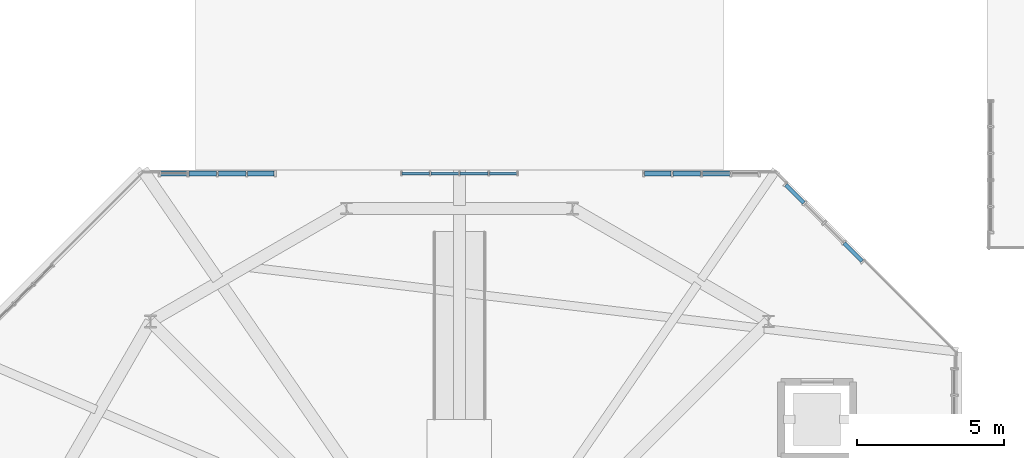
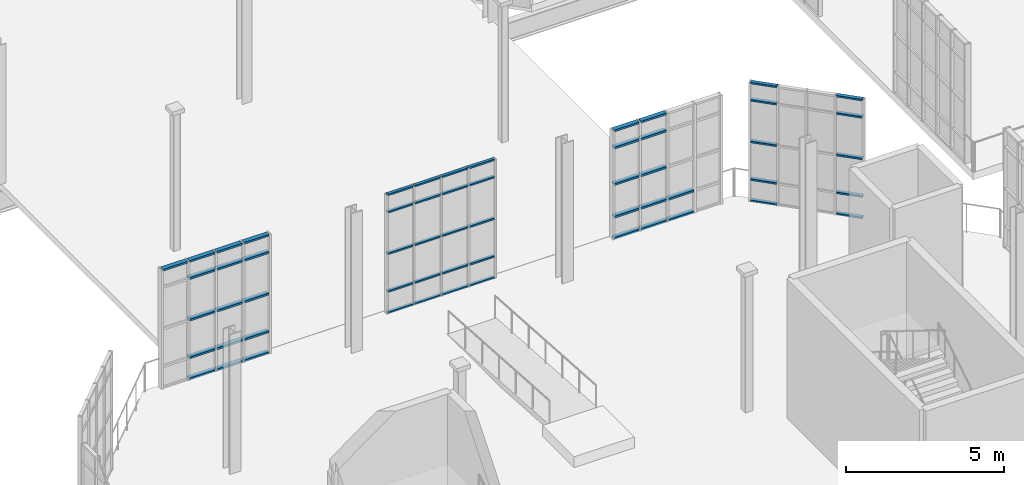
# One storey, part 125 of 189: 58 members, 4 elements without a shape of their own.
"""IFC4 building model written with IfcOpenShell, lengths in metres."""

from ifc_helpers import new_model, si_unit, direction, frame, origin, origin_2d, place, context, subcontext, project, spatial, hollow_rectangle, extrude, material, layer, layer_set, material_profile, profile_set, type_object, element, aggregate, save


model = new_model("IFC4")

# Units and contexts
model_context = context("Model", 3, precision=1e-05, world=origin(), true_north=direction((0.0, 1.0)))
body_context = subcontext(model_context, "Body", "Model", "MODEL_VIEW")
ifc_project = project(units=[si_unit("LENGTHUNIT", "METRE"), si_unit("AREAUNIT", "SQUARE_METRE"), si_unit("VOLUMEUNIT", "CUBIC_METRE"), si_unit("PLANEANGLEUNIT", "RADIAN"), si_unit("MASSUNIT", "GRAM", prefix="KILO"), si_unit("THERMODYNAMICTEMPERATUREUNIT", "KELVIN"), si_unit("POWERUNIT", "WATT")], contexts=[model_context])

# Site, building, storey
site_placement = place(None, origin())
site = spatial("IfcSite", under=ifc_project, at=site_placement, CompositionType="ELEMENT")
building_placement = place(site_placement, origin())
building = spatial("IfcBuilding", under=site, at=building_placement, Name="Zelmaris Science Centre", CompositionType="ELEMENT")
storey_placement = place(building_placement, origin())
storey = spatial("IfcBuildingStorey", under=building, at=storey_placement, Name="L00", CompositionType="ELEMENT", Elevation=0.0)

# Curtain wall, members
ifc_material = material(Name="Anodised architectural aluminium 6063-T6", Category="aluminium")
ifc_layer_1 = layer(ifc_material, 0.219970703125, Name="Anodised architectural aluminium 6063-T6")
ifc_layer_set_1 = layer_set([ifc_layer_1], Name="Anodised architectural aluminium 6063-T6")
curtain_wall_type_1 = type_object("IfcCurtainWallType", Name="Curtain Wall CW-04", PredefinedType="USERDEFINED", material=ifc_layer_set_1)
curtain_wall_1_placement = place(storey_placement, origin())
curtain_wall_1 = element("IfcCurtainWall", 1, at=curtain_wall_1_placement, inside=storey, type_object=curtain_wall_type_1, Name="L00 Unitised curtain wall 56", ObjectType="GLAZED CURTAIN WALL", PredefinedType="USERDEFINED")
ifc_material_profile_1 = material_profile(ifc_material, hollow_rectangle(XDim=0.06005859375, YDim=0.110107421875, WallThickness=0.0029296875, at=origin_2d()), Name="ALU-TRN-60X110")
ifc_profile_set_1 = profile_set([ifc_material_profile_1], Name="Anodised architectural aluminium 6063-T6")
member_type_1 = type_object("IfcMemberType", Name="ALU-TRN-60X110", PredefinedType="USERDEFINED", material=ifc_profile_set_1)
member_1_placement = place(storey_placement, frame((79.048828125, 51.580078125, 0.010986328125), z_axis=(1.0, 0.0, 0.0), x_axis=(0.0, 0.0, 1.0)))
member_1 = element("IfcMember", 2, at=member_1_placement, type_object=member_type_1, Name="CW-04 transom 1.1", ObjectType="TRANSOM", PredefinedType="USERDEFINED", context=body_context, shape_type="SweptSolid", body=[
    extrude(hollow_rectangle(XDim=0.06005859375, YDim=0.110107421875, WallThickness=0.0029296875, at=origin_2d()), origin(), (0.0, 0.0, 1.0), 0.924072265625),
])
member_2_placement = place(storey_placement, frame((79.048828125, 51.580078125, 0.8349609375), z_axis=(1.0, 0.0, 0.0), x_axis=(0.0, 0.0, 1.0)))
member_2 = element("IfcMember", 3, at=member_2_placement, type_object=member_type_1, Name="CW-04 transom 1.2", ObjectType="TRANSOM", PredefinedType="USERDEFINED", context=body_context, shape_type="SweptSolid", body=[
    extrude(hollow_rectangle(XDim=0.06005859375, YDim=0.110107421875, WallThickness=0.0029296875, at=origin_2d()), origin(), (0.0, 0.0, 1.0), 0.924072265625),
])
member_3_placement = place(storey_placement, frame((79.048828125, 51.580078125, 2.29248046875), z_axis=(1.0, 0.0, 0.0), x_axis=(0.0, 0.0, 1.0)))
member_3 = element("IfcMember", 4, at=member_3_placement, type_object=member_type_1, Name="CW-04 transom 1.3", ObjectType="TRANSOM", PredefinedType="USERDEFINED", context=body_context, shape_type="SweptSolid", body=[
    extrude(hollow_rectangle(XDim=0.06005859375, YDim=0.110107421875, WallThickness=0.0029296875, at=origin_2d()), origin(), (0.0, 0.0, 1.0), 0.924072265625),
])
member_4_placement = place(storey_placement, frame((79.048828125, 51.580078125, 3.89990234375), z_axis=(1.0, 0.0, 0.0), x_axis=(0.0, 0.0, 1.0)))
member_4 = element("IfcMember", 5, at=member_4_placement, type_object=member_type_1, Name="CW-04 transom 1.4", ObjectType="TRANSOM", PredefinedType="USERDEFINED", context=body_context, shape_type="SweptSolid", body=[
    extrude(hollow_rectangle(XDim=0.06005859375, YDim=0.110107421875, WallThickness=0.0029296875, at=origin_2d()), origin(), (0.0, 0.0, 1.0), 0.924072265625),
])
member_5_placement = place(storey_placement, frame((79.048828125, 51.580078125, 4.573974609375), z_axis=(1.0, 0.0, 0.0), x_axis=(0.0, 0.0, 1.0)))
member_5 = element("IfcMember", 6, at=member_5_placement, type_object=member_type_1, Name="CW-04 transom 1.5", ObjectType="TRANSOM", PredefinedType="USERDEFINED", context=body_context, shape_type="SweptSolid", body=[
    extrude(hollow_rectangle(XDim=0.06005859375, YDim=0.110107421875, WallThickness=0.0029296875, at=origin_2d()), origin(), (0.0, 0.0, 1.0), 0.924072265625),
])
member_6_placement = place(storey_placement, frame((80.02490234375, 51.580078125, 0.010986328125), z_axis=(1.0, 0.0, 0.0), x_axis=(0.0, 0.0, 1.0)))
member_6 = element("IfcMember", 7, at=member_6_placement, type_object=member_type_1, Name="CW-04 transom 2.1", ObjectType="TRANSOM", PredefinedType="USERDEFINED", context=body_context, shape_type="SweptSolid", body=[
    extrude(hollow_rectangle(XDim=0.06005859375, YDim=0.110107421875, WallThickness=0.0029296875, at=origin_2d()), origin(), (0.0, 0.0, 1.0), 0.949951171875),
])
member_7_placement = place(storey_placement, frame((80.02490234375, 51.580078125, 0.8349609375), z_axis=(1.0, 0.0, 0.0), x_axis=(0.0, 0.0, 1.0)))
member_7 = element("IfcMember", 8, at=member_7_placement, type_object=member_type_1, Name="CW-04 transom 2.2", ObjectType="TRANSOM", PredefinedType="USERDEFINED", context=body_context, shape_type="SweptSolid", body=[
    extrude(hollow_rectangle(XDim=0.06005859375, YDim=0.110107421875, WallThickness=0.0029296875, at=origin_2d()), origin(), (0.0, 0.0, 1.0), 0.949951171875),
])
member_8_placement = place(storey_placement, frame((80.02490234375, 51.580078125, 2.29248046875), z_axis=(1.0, 0.0, 0.0), x_axis=(0.0, 0.0, 1.0)))
member_8 = element("IfcMember", 9, at=member_8_placement, type_object=member_type_1, Name="CW-04 transom 2.3", ObjectType="TRANSOM", PredefinedType="USERDEFINED", context=body_context, shape_type="SweptSolid", body=[
    extrude(hollow_rectangle(XDim=0.06005859375, YDim=0.110107421875, WallThickness=0.0029296875, at=origin_2d()), origin(), (0.0, 0.0, 1.0), 0.949951171875),
])
member_9_placement = place(storey_placement, frame((80.02490234375, 51.580078125, 3.89990234375), z_axis=(1.0, 0.0, 0.0), x_axis=(0.0, 0.0, 1.0)))
member_9 = element("IfcMember", 10, at=member_9_placement, type_object=member_type_1, Name="CW-04 transom 2.4", ObjectType="TRANSOM", PredefinedType="USERDEFINED", context=body_context, shape_type="SweptSolid", body=[
    extrude(hollow_rectangle(XDim=0.06005859375, YDim=0.110107421875, WallThickness=0.0029296875, at=origin_2d()), origin(), (0.0, 0.0, 1.0), 0.949951171875),
])
member_10_placement = place(storey_placement, frame((80.02490234375, 51.580078125, 4.573974609375), z_axis=(1.0, 0.0, 0.0), x_axis=(0.0, 0.0, 1.0)))
member_10 = element("IfcMember", 11, at=member_10_placement, type_object=member_type_1, Name="CW-04 transom 2.5", ObjectType="TRANSOM", PredefinedType="USERDEFINED", context=body_context, shape_type="SweptSolid", body=[
    extrude(hollow_rectangle(XDim=0.06005859375, YDim=0.110107421875, WallThickness=0.0029296875, at=origin_2d()), origin(), (0.0, 0.0, 1.0), 0.949951171875),
])
member_11_placement = place(storey_placement, frame((81.02685546875, 51.580078125, 0.010986328125), z_axis=(1.0, 0.0, 0.0), x_axis=(0.0, 0.0, 1.0)))
member_11 = element("IfcMember", 12, at=member_11_placement, type_object=member_type_1, Name="CW-04 transom 3.1", ObjectType="TRANSOM", PredefinedType="USERDEFINED", context=body_context, shape_type="SweptSolid", body=[
    extrude(hollow_rectangle(XDim=0.06005859375, YDim=0.110107421875, WallThickness=0.0029296875, at=origin_2d()), origin(), (0.0, 0.0, 1.0), 0.94970703125),
])
member_12_placement = place(storey_placement, frame((81.02685546875, 51.580078125, 0.8349609375), z_axis=(1.0, 0.0, 0.0), x_axis=(0.0, 0.0, 1.0)))
member_12 = element("IfcMember", 13, at=member_12_placement, type_object=member_type_1, Name="CW-04 transom 3.2", ObjectType="TRANSOM", PredefinedType="USERDEFINED", context=body_context, shape_type="SweptSolid", body=[
    extrude(hollow_rectangle(XDim=0.06005859375, YDim=0.110107421875, WallThickness=0.0029296875, at=origin_2d()), origin(), (0.0, 0.0, 1.0), 0.94970703125),
])
member_13_placement = place(storey_placement, frame((81.02685546875, 51.580078125, 2.29248046875), z_axis=(1.0, 0.0, 0.0), x_axis=(0.0, 0.0, 1.0)))
member_13 = element("IfcMember", 14, at=member_13_placement, type_object=member_type_1, Name="CW-04 transom 3.3", ObjectType="TRANSOM", PredefinedType="USERDEFINED", context=body_context, shape_type="SweptSolid", body=[
    extrude(hollow_rectangle(XDim=0.06005859375, YDim=0.110107421875, WallThickness=0.0029296875, at=origin_2d()), origin(), (0.0, 0.0, 1.0), 0.94970703125),
])
member_14_placement = place(storey_placement, frame((81.02685546875, 51.580078125, 3.89990234375), z_axis=(1.0, 0.0, 0.0), x_axis=(0.0, 0.0, 1.0)))
member_14 = element("IfcMember", 15, at=member_14_placement, type_object=member_type_1, Name="CW-04 transom 3.4", ObjectType="TRANSOM", PredefinedType="USERDEFINED", context=body_context, shape_type="SweptSolid", body=[
    extrude(hollow_rectangle(XDim=0.06005859375, YDim=0.110107421875, WallThickness=0.0029296875, at=origin_2d()), origin(), (0.0, 0.0, 1.0), 0.94970703125),
])
member_15_placement = place(storey_placement, frame((81.02685546875, 51.580078125, 4.573974609375), z_axis=(1.0, 0.0, 0.0), x_axis=(0.0, 0.0, 1.0)))
member_15 = element("IfcMember", 16, at=member_15_placement, type_object=member_type_1, Name="CW-04 transom 3.5", ObjectType="TRANSOM", PredefinedType="USERDEFINED", context=body_context, shape_type="SweptSolid", body=[
    extrude(hollow_rectangle(XDim=0.06005859375, YDim=0.110107421875, WallThickness=0.0029296875, at=origin_2d()), origin(), (0.0, 0.0, 1.0), 0.94970703125),
])
member_16_placement = place(storey_placement, frame((82.028564453125, 51.580078125, 0.010986328125), z_axis=(1.0, 0.0, 0.0), x_axis=(0.0, 0.0, 1.0)))
member_16 = element("IfcMember", 17, at=member_16_placement, type_object=member_type_1, Name="CW-04 transom 4.1", ObjectType="TRANSOM", PredefinedType="USERDEFINED", context=body_context, shape_type="SweptSolid", body=[
    extrude(hollow_rectangle(XDim=0.06005859375, YDim=0.110107421875, WallThickness=0.0029296875, at=origin_2d()), origin(), (0.0, 0.0, 1.0), 0.924072265625),
])
member_17_placement = place(storey_placement, frame((82.028564453125, 51.580078125, 0.8349609375), z_axis=(1.0, 0.0, 0.0), x_axis=(0.0, 0.0, 1.0)))
member_17 = element("IfcMember", 18, at=member_17_placement, type_object=member_type_1, Name="CW-04 transom 4.2", ObjectType="TRANSOM", PredefinedType="USERDEFINED", context=body_context, shape_type="SweptSolid", body=[
    extrude(hollow_rectangle(XDim=0.06005859375, YDim=0.110107421875, WallThickness=0.0029296875, at=origin_2d()), origin(), (0.0, 0.0, 1.0), 0.924072265625),
])
member_18_placement = place(storey_placement, frame((82.028564453125, 51.580078125, 2.29248046875), z_axis=(1.0, 0.0, 0.0), x_axis=(0.0, 0.0, 1.0)))
member_18 = element("IfcMember", 19, at=member_18_placement, type_object=member_type_1, Name="CW-04 transom 4.3", ObjectType="TRANSOM", PredefinedType="USERDEFINED", context=body_context, shape_type="SweptSolid", body=[
    extrude(hollow_rectangle(XDim=0.06005859375, YDim=0.110107421875, WallThickness=0.0029296875, at=origin_2d()), origin(), (0.0, 0.0, 1.0), 0.924072265625),
])
member_19_placement = place(storey_placement, frame((82.028564453125, 51.580078125, 3.89990234375), z_axis=(1.0, 0.0, 0.0), x_axis=(0.0, 0.0, 1.0)))
member_19 = element("IfcMember", 20, at=member_19_placement, type_object=member_type_1, Name="CW-04 transom 4.4", ObjectType="TRANSOM", PredefinedType="USERDEFINED", context=body_context, shape_type="SweptSolid", body=[
    extrude(hollow_rectangle(XDim=0.06005859375, YDim=0.110107421875, WallThickness=0.0029296875, at=origin_2d()), origin(), (0.0, 0.0, 1.0), 0.924072265625),
])
member_20_placement = place(storey_placement, frame((82.028564453125, 51.580078125, 4.573974609375), z_axis=(1.0, 0.0, 0.0), x_axis=(0.0, 0.0, 1.0)))
member_20 = element("IfcMember", 21, at=member_20_placement, type_object=member_type_1, Name="CW-04 transom 4.5", ObjectType="TRANSOM", PredefinedType="USERDEFINED", context=body_context, shape_type="SweptSolid", body=[
    extrude(hollow_rectangle(XDim=0.06005859375, YDim=0.110107421875, WallThickness=0.0029296875, at=origin_2d()), origin(), (0.0, 0.0, 1.0), 0.924072265625),
])
aggregate(curtain_wall_1, [member_1, member_2, member_3, member_4, member_5, member_6, member_7, member_8, member_9, member_10, member_11, member_12, member_13, member_14, member_15, member_16, member_17, member_18, member_19, member_20])

ifc_layer_2 = layer(ifc_material, 0.2099609375, Name="Anodised architectural aluminium 6063-T6")
ifc_layer_set_2 = layer_set([ifc_layer_2], Name="Anodised architectural aluminium 6063-T6")
curtain_wall_type_2 = type_object("IfcCurtainWallType", Name="Curtain Wall CW-03", PredefinedType="USERDEFINED", material=ifc_layer_set_2)
curtain_wall_2_placement = place(storey_placement, origin())
curtain_wall_2 = element("IfcCurtainWall", 22, at=curtain_wall_2_placement, inside=storey, type_object=curtain_wall_type_2, Name="L00 Unitised curtain wall 59", ObjectType="GLAZED CURTAIN WALL", PredefinedType="USERDEFINED")
ifc_material_profile_2 = material_profile(ifc_material, hollow_rectangle(XDim=0.06494140625, YDim=0.1298828125, WallThickness=0.00341796875, at=origin_2d()), Name="ALU-TRN-65X130")
ifc_profile_set_2 = profile_set([ifc_material_profile_2], Name="Anodised architectural aluminium 6063-T6")
member_type_2 = type_object("IfcMemberType", Name="ALU-TRN-65X130", PredefinedType="USERDEFINED", material=ifc_profile_set_2)
member_21_placement = place(storey_placement, frame((92.13720703125, 51.19287109375, 0.013427734375), z_axis=(0.707106781187, -0.707106781187, 0.0), x_axis=(0.0, 0.0, 1.0)))
member_21 = element("IfcMember", 23, at=member_21_placement, type_object=member_type_2, Name="CW-03 transom 1.1", ObjectType="TRANSOM", PredefinedType="USERDEFINED", context=body_context, shape_type="SweptSolid", body=[
    extrude(hollow_rectangle(XDim=0.06494140625, YDim=0.1298828125, WallThickness=0.00341796875, at=origin_2d()), origin(), (0.0, 0.0, 1.0), 0.8603515625),
])
member_22_placement = place(storey_placement, frame((92.13720703125, 51.19287109375, 0.8349609375), z_axis=(0.707106781187, -0.707106781187, 0.0), x_axis=(0.0, 0.0, 1.0)))
member_22 = element("IfcMember", 24, at=member_22_placement, type_object=member_type_2, Name="CW-03 transom 1.2", ObjectType="TRANSOM", PredefinedType="USERDEFINED", context=body_context, shape_type="SweptSolid", body=[
    extrude(hollow_rectangle(XDim=0.06494140625, YDim=0.1298828125, WallThickness=0.00341796875, at=origin_2d()), origin(), (0.0, 0.0, 1.0), 0.8603515625),
])
member_23_placement = place(storey_placement, frame((92.13720703125, 51.19287109375, 2.29248046875), z_axis=(0.707106781187, -0.707106781187, 0.0), x_axis=(0.0, 0.0, 1.0)))
member_23 = element("IfcMember", 25, at=member_23_placement, type_object=member_type_2, Name="CW-03 transom 1.3", ObjectType="TRANSOM", PredefinedType="USERDEFINED", context=body_context, shape_type="SweptSolid", body=[
    extrude(hollow_rectangle(XDim=0.06494140625, YDim=0.1298828125, WallThickness=0.00341796875, at=origin_2d()), origin(), (0.0, 0.0, 1.0), 0.8603515625),
])
member_24_placement = place(storey_placement, frame((92.13720703125, 51.19287109375, 3.89990234375), z_axis=(0.707106781187, -0.707106781187, 0.0), x_axis=(0.0, 0.0, 1.0)))
member_24 = element("IfcMember", 26, at=member_24_placement, type_object=member_type_2, Name="CW-03 transom 1.4", ObjectType="TRANSOM", PredefinedType="USERDEFINED", context=body_context, shape_type="SweptSolid", body=[
    extrude(hollow_rectangle(XDim=0.06494140625, YDim=0.1298828125, WallThickness=0.00341796875, at=origin_2d()), origin(), (0.0, 0.0, 1.0), 0.8603515625),
])
member_25_placement = place(storey_placement, frame((92.13720703125, 51.19287109375, 4.571533203125), z_axis=(0.707106781187, -0.707106781187, 0.0), x_axis=(0.0, 0.0, 1.0)))
member_25 = element("IfcMember", 27, at=member_25_placement, type_object=member_type_2, Name="CW-03 transom 1.5", ObjectType="TRANSOM", PredefinedType="USERDEFINED", context=body_context, shape_type="SweptSolid", body=[
    extrude(hollow_rectangle(XDim=0.06494140625, YDim=0.1298828125, WallThickness=0.00341796875, at=origin_2d()), origin(), (0.0, 0.0, 1.0), 0.8603515625),
])
member_26_placement = place(storey_placement, frame((94.123779296875, 49.206298828125, 0.013427734375), z_axis=(0.707106781187, -0.707106781187, 0.0), x_axis=(0.0, 0.0, 1.0)))
member_26 = element("IfcMember", 28, at=member_26_placement, type_object=member_type_2, Name="CW-03 transom 4.1", ObjectType="TRANSOM", PredefinedType="USERDEFINED", context=body_context, shape_type="SweptSolid", body=[
    extrude(hollow_rectangle(XDim=0.06494140625, YDim=0.1298828125, WallThickness=0.00341796875, at=origin_2d()), origin(), (0.0, 0.0, 1.0), 0.8603515625),
])
member_27_placement = place(storey_placement, frame((94.123779296875, 49.206298828125, 0.8349609375), z_axis=(0.707106781187, -0.707106781187, 0.0), x_axis=(0.0, 0.0, 1.0)))
member_27 = element("IfcMember", 29, at=member_27_placement, type_object=member_type_2, Name="CW-03 transom 4.2", ObjectType="TRANSOM", PredefinedType="USERDEFINED", context=body_context, shape_type="SweptSolid", body=[
    extrude(hollow_rectangle(XDim=0.06494140625, YDim=0.1298828125, WallThickness=0.00341796875, at=origin_2d()), origin(), (0.0, 0.0, 1.0), 0.8603515625),
])
member_28_placement = place(storey_placement, frame((94.123779296875, 49.206298828125, 2.29248046875), z_axis=(0.707106781187, -0.707106781187, 0.0), x_axis=(0.0, 0.0, 1.0)))
member_28 = element("IfcMember", 30, at=member_28_placement, type_object=member_type_2, Name="CW-03 transom 4.3", ObjectType="TRANSOM", PredefinedType="USERDEFINED", context=body_context, shape_type="SweptSolid", body=[
    extrude(hollow_rectangle(XDim=0.06494140625, YDim=0.1298828125, WallThickness=0.00341796875, at=origin_2d()), origin(), (0.0, 0.0, 1.0), 0.8603515625),
])
member_29_placement = place(storey_placement, frame((94.123779296875, 49.206298828125, 3.89990234375), z_axis=(0.707106781187, -0.707106781187, 0.0), x_axis=(0.0, 0.0, 1.0)))
member_29 = element("IfcMember", 31, at=member_29_placement, type_object=member_type_2, Name="CW-03 transom 4.4", ObjectType="TRANSOM", PredefinedType="USERDEFINED", context=body_context, shape_type="SweptSolid", body=[
    extrude(hollow_rectangle(XDim=0.06494140625, YDim=0.1298828125, WallThickness=0.00341796875, at=origin_2d()), origin(), (0.0, 0.0, 1.0), 0.8603515625),
])
member_30_placement = place(storey_placement, frame((94.123779296875, 49.206298828125, 4.571533203125), z_axis=(0.707106781187, -0.707106781187, 0.0), x_axis=(0.0, 0.0, 1.0)))
member_30 = element("IfcMember", 32, at=member_30_placement, type_object=member_type_2, Name="CW-03 transom 4.5", ObjectType="TRANSOM", PredefinedType="USERDEFINED", context=body_context, shape_type="SweptSolid", body=[
    extrude(hollow_rectangle(XDim=0.06494140625, YDim=0.1298828125, WallThickness=0.00341796875, at=origin_2d()), origin(), (0.0, 0.0, 1.0), 0.8603515625),
])
aggregate(curtain_wall_2, [member_21, member_22, member_23, member_24, member_25, member_26, member_27, member_28, member_29, member_30])

ifc_layer_3 = layer(ifc_material, 0.199951171875, Name="Anodised architectural aluminium 6063-T6")
ifc_layer_set_3 = layer_set([ifc_layer_3], Name="Anodised architectural aluminium 6063-T6")
curtain_wall_type_3 = type_object("IfcCurtainWallType", Name="Curtain Wall CW-02", PredefinedType="USERDEFINED", material=ifc_layer_set_3)
curtain_wall_3_placement = place(storey_placement, origin())
curtain_wall_3 = element("IfcCurtainWall", 33, at=curtain_wall_3_placement, inside=storey, type_object=curtain_wall_type_3, Name="L00 Unitised curtain wall 54", ObjectType="GLAZED CURTAIN WALL", PredefinedType="USERDEFINED")
ifc_material_profile_3 = material_profile(ifc_material, hollow_rectangle(XDim=0.074951171875, YDim=0.159912109375, WallThickness=0.00390625, at=origin_2d()), Name="ALU-TRN-75X160")
ifc_profile_set_3 = profile_set([ifc_material_profile_3], Name="Anodised architectural aluminium 6063-T6")
member_type_3 = type_object("IfcMemberType", Name="ALU-TRN-75X160", PredefinedType="USERDEFINED", material=ifc_profile_set_3)
member_31_placement = place(storey_placement, frame((70.80859375, 51.580078125, 4.56640625), z_axis=(1.0, 0.0, 0.0), x_axis=(0.0, 0.0, 1.0)))
member_31 = element("IfcMember", 34, at=member_31_placement, type_object=member_type_3, Name="CW-02 transom 1.5", ObjectType="TRANSOM", PredefinedType="USERDEFINED", context=body_context, shape_type="SweptSolid", body=[
    extrude(hollow_rectangle(XDim=0.074951171875, YDim=0.159912109375, WallThickness=0.00390625, at=origin_2d()), origin(), (0.0, 0.0, 1.0), 0.9013671875),
])
member_32_placement = place(storey_placement, frame((71.77685546875, 51.580078125, 0.0185546875), z_axis=(1.0, 0.0, 0.0), x_axis=(0.0, 0.0, 1.0)))
member_32 = element("IfcMember", 35, at=member_32_placement, type_object=member_type_3, Name="CW-02 transom 2.1", ObjectType="TRANSOM", PredefinedType="USERDEFINED", context=body_context, shape_type="SweptSolid", body=[
    extrude(hollow_rectangle(XDim=0.074951171875, YDim=0.159912109375, WallThickness=0.00390625, at=origin_2d()), origin(), (0.0, 0.0, 1.0), 0.93505859375),
])
member_33_placement = place(storey_placement, frame((71.77685546875, 51.580078125, 0.8349609375), z_axis=(1.0, 0.0, 0.0), x_axis=(0.0, 0.0, 1.0)))
member_33 = element("IfcMember", 36, at=member_33_placement, type_object=member_type_3, Name="CW-02 transom 2.2", ObjectType="TRANSOM", PredefinedType="USERDEFINED", context=body_context, shape_type="SweptSolid", body=[
    extrude(hollow_rectangle(XDim=0.074951171875, YDim=0.159912109375, WallThickness=0.00390625, at=origin_2d()), origin(), (0.0, 0.0, 1.0), 0.93505859375),
])
member_34_placement = place(storey_placement, frame((71.77685546875, 51.580078125, 2.29248046875), z_axis=(1.0, 0.0, 0.0), x_axis=(0.0, 0.0, 1.0)))
member_34 = element("IfcMember", 37, at=member_34_placement, type_object=member_type_3, Name="CW-02 transom 2.3", ObjectType="TRANSOM", PredefinedType="USERDEFINED", context=body_context, shape_type="SweptSolid", body=[
    extrude(hollow_rectangle(XDim=0.074951171875, YDim=0.159912109375, WallThickness=0.00390625, at=origin_2d()), origin(), (0.0, 0.0, 1.0), 0.93505859375),
])
member_35_placement = place(storey_placement, frame((71.77685546875, 51.580078125, 3.89990234375), z_axis=(1.0, 0.0, 0.0), x_axis=(0.0, 0.0, 1.0)))
member_35 = element("IfcMember", 38, at=member_35_placement, type_object=member_type_3, Name="CW-02 transom 2.4", ObjectType="TRANSOM", PredefinedType="USERDEFINED", context=body_context, shape_type="SweptSolid", body=[
    extrude(hollow_rectangle(XDim=0.074951171875, YDim=0.159912109375, WallThickness=0.00390625, at=origin_2d()), origin(), (0.0, 0.0, 1.0), 0.93505859375),
])
member_36_placement = place(storey_placement, frame((71.77685546875, 51.580078125, 4.56640625), z_axis=(1.0, 0.0, 0.0), x_axis=(0.0, 0.0, 1.0)))
member_36 = element("IfcMember", 39, at=member_36_placement, type_object=member_type_3, Name="CW-02 transom 2.5", ObjectType="TRANSOM", PredefinedType="USERDEFINED", context=body_context, shape_type="SweptSolid", body=[
    extrude(hollow_rectangle(XDim=0.074951171875, YDim=0.159912109375, WallThickness=0.00390625, at=origin_2d()), origin(), (0.0, 0.0, 1.0), 0.93505859375),
])
member_37_placement = place(storey_placement, frame((72.77880859375, 51.580078125, 0.0185546875), z_axis=(1.0, 0.0, 0.0), x_axis=(0.0, 0.0, 1.0)))
member_37 = element("IfcMember", 40, at=member_37_placement, type_object=member_type_3, Name="CW-02 transom 3.1", ObjectType="TRANSOM", PredefinedType="USERDEFINED", context=body_context, shape_type="SweptSolid", body=[
    extrude(hollow_rectangle(XDim=0.074951171875, YDim=0.159912109375, WallThickness=0.00390625, at=origin_2d()), origin(), (0.0, 0.0, 1.0), 0.93505859375),
])
member_38_placement = place(storey_placement, frame((72.77880859375, 51.580078125, 0.8349609375), z_axis=(1.0, 0.0, 0.0), x_axis=(0.0, 0.0, 1.0)))
member_38 = element("IfcMember", 41, at=member_38_placement, type_object=member_type_3, Name="CW-02 transom 3.2", ObjectType="TRANSOM", PredefinedType="USERDEFINED", context=body_context, shape_type="SweptSolid", body=[
    extrude(hollow_rectangle(XDim=0.074951171875, YDim=0.159912109375, WallThickness=0.00390625, at=origin_2d()), origin(), (0.0, 0.0, 1.0), 0.93505859375),
])
member_39_placement = place(storey_placement, frame((72.77880859375, 51.580078125, 2.29248046875), z_axis=(1.0, 0.0, 0.0), x_axis=(0.0, 0.0, 1.0)))
member_39 = element("IfcMember", 42, at=member_39_placement, type_object=member_type_3, Name="CW-02 transom 3.3", ObjectType="TRANSOM", PredefinedType="USERDEFINED", context=body_context, shape_type="SweptSolid", body=[
    extrude(hollow_rectangle(XDim=0.074951171875, YDim=0.159912109375, WallThickness=0.00390625, at=origin_2d()), origin(), (0.0, 0.0, 1.0), 0.93505859375),
])
member_40_placement = place(storey_placement, frame((72.77880859375, 51.580078125, 3.89990234375), z_axis=(1.0, 0.0, 0.0), x_axis=(0.0, 0.0, 1.0)))
member_40 = element("IfcMember", 43, at=member_40_placement, type_object=member_type_3, Name="CW-02 transom 3.4", ObjectType="TRANSOM", PredefinedType="USERDEFINED", context=body_context, shape_type="SweptSolid", body=[
    extrude(hollow_rectangle(XDim=0.074951171875, YDim=0.159912109375, WallThickness=0.00390625, at=origin_2d()), origin(), (0.0, 0.0, 1.0), 0.93505859375),
])
member_41_placement = place(storey_placement, frame((72.77880859375, 51.580078125, 4.56640625), z_axis=(1.0, 0.0, 0.0), x_axis=(0.0, 0.0, 1.0)))
member_41 = element("IfcMember", 44, at=member_41_placement, type_object=member_type_3, Name="CW-02 transom 3.5", ObjectType="TRANSOM", PredefinedType="USERDEFINED", context=body_context, shape_type="SweptSolid", body=[
    extrude(hollow_rectangle(XDim=0.074951171875, YDim=0.159912109375, WallThickness=0.00390625, at=origin_2d()), origin(), (0.0, 0.0, 1.0), 0.93505859375),
])
member_42_placement = place(storey_placement, frame((73.78076171875, 51.580078125, 0.0185546875), z_axis=(1.0, 0.0, 0.0), x_axis=(0.0, 0.0, 1.0)))
member_42 = element("IfcMember", 45, at=member_42_placement, type_object=member_type_3, Name="CW-02 transom 4.1", ObjectType="TRANSOM", PredefinedType="USERDEFINED", context=body_context, shape_type="SweptSolid", body=[
    extrude(hollow_rectangle(XDim=0.074951171875, YDim=0.159912109375, WallThickness=0.00390625, at=origin_2d()), origin(), (0.0, 0.0, 1.0), 0.9013671875),
])
member_43_placement = place(storey_placement, frame((73.78076171875, 51.580078125, 0.8349609375), z_axis=(1.0, 0.0, 0.0), x_axis=(0.0, 0.0, 1.0)))
member_43 = element("IfcMember", 46, at=member_43_placement, type_object=member_type_3, Name="CW-02 transom 4.2", ObjectType="TRANSOM", PredefinedType="USERDEFINED", context=body_context, shape_type="SweptSolid", body=[
    extrude(hollow_rectangle(XDim=0.074951171875, YDim=0.159912109375, WallThickness=0.00390625, at=origin_2d()), origin(), (0.0, 0.0, 1.0), 0.9013671875),
])
member_44_placement = place(storey_placement, frame((73.78076171875, 51.580078125, 2.29248046875), z_axis=(1.0, 0.0, 0.0), x_axis=(0.0, 0.0, 1.0)))
member_44 = element("IfcMember", 47, at=member_44_placement, type_object=member_type_3, Name="CW-02 transom 4.3", ObjectType="TRANSOM", PredefinedType="USERDEFINED", context=body_context, shape_type="SweptSolid", body=[
    extrude(hollow_rectangle(XDim=0.074951171875, YDim=0.159912109375, WallThickness=0.00390625, at=origin_2d()), origin(), (0.0, 0.0, 1.0), 0.9013671875),
])
member_45_placement = place(storey_placement, frame((73.78076171875, 51.580078125, 3.89990234375), z_axis=(1.0, 0.0, 0.0), x_axis=(0.0, 0.0, 1.0)))
member_45 = element("IfcMember", 48, at=member_45_placement, type_object=member_type_3, Name="CW-02 transom 4.4", ObjectType="TRANSOM", PredefinedType="USERDEFINED", context=body_context, shape_type="SweptSolid", body=[
    extrude(hollow_rectangle(XDim=0.074951171875, YDim=0.159912109375, WallThickness=0.00390625, at=origin_2d()), origin(), (0.0, 0.0, 1.0), 0.9013671875),
])
member_46_placement = place(storey_placement, frame((73.78076171875, 51.580078125, 4.56640625), z_axis=(1.0, 0.0, 0.0), x_axis=(0.0, 0.0, 1.0)))
member_46 = element("IfcMember", 49, at=member_46_placement, type_object=member_type_3, Name="CW-02 transom 4.5", ObjectType="TRANSOM", PredefinedType="USERDEFINED", context=body_context, shape_type="SweptSolid", body=[
    extrude(hollow_rectangle(XDim=0.074951171875, YDim=0.159912109375, WallThickness=0.00390625, at=origin_2d()), origin(), (0.0, 0.0, 1.0), 0.9013671875),
])
aggregate(curtain_wall_3, [member_31, member_32, member_33, member_34, member_35, member_36, member_37, member_38, member_39, member_40, member_41, member_42, member_43, member_44, member_45, member_46])

curtain_wall_4_placement = place(storey_placement, origin())
curtain_wall_4 = element("IfcCurtainWall", 50, at=curtain_wall_4_placement, inside=storey, type_object=curtain_wall_type_3, Name="L00 Unitised curtain wall 58", ObjectType="GLAZED CURTAIN WALL", PredefinedType="USERDEFINED")
member_47_placement = place(storey_placement, frame((87.3193359375, 51.579833984375, 0.0185546875), z_axis=(1.0, 0.0, 0.0), x_axis=(0.0, 0.0, 1.0)))
member_47 = element("IfcMember", 51, at=member_47_placement, type_object=member_type_3, Name="CW-02 transom 1.1", ObjectType="TRANSOM", PredefinedType="USERDEFINED", context=body_context, shape_type="SweptSolid", body=[
    extrude(hollow_rectangle(XDim=0.074951171875, YDim=0.159912109375, WallThickness=0.00390625, at=origin_2d()), origin(), (0.0, 0.0, 1.0), 0.9013671875),
])
member_48_placement = place(storey_placement, frame((87.3193359375, 51.579833984375, 0.8349609375), z_axis=(1.0, 0.0, 0.0), x_axis=(0.0, 0.0, 1.0)))
member_48 = element("IfcMember", 52, at=member_48_placement, type_object=member_type_3, Name="CW-02 transom 1.2", ObjectType="TRANSOM", PredefinedType="USERDEFINED", context=body_context, shape_type="SweptSolid", body=[
    extrude(hollow_rectangle(XDim=0.074951171875, YDim=0.159912109375, WallThickness=0.00390625, at=origin_2d()), origin(), (0.0, 0.0, 1.0), 0.9013671875),
])
member_49_placement = place(storey_placement, frame((87.3193359375, 51.579833984375, 2.095458984375), z_axis=(1.0, 0.0, 0.0), x_axis=(0.0, 0.0, 1.0)))
member_49 = element("IfcMember", 53, at=member_49_placement, type_object=member_type_3, Name="CW-02 transom 1.3", ObjectType="TRANSOM", PredefinedType="USERDEFINED", context=body_context, shape_type="SweptSolid", body=[
    extrude(hollow_rectangle(XDim=0.074951171875, YDim=0.159912109375, WallThickness=0.00390625, at=origin_2d()), origin(), (0.0, 0.0, 1.0), 0.9013671875),
])
member_50_placement = place(storey_placement, frame((87.3193359375, 51.579833984375, 3.506103515625), z_axis=(1.0, 0.0, 0.0), x_axis=(0.0, 0.0, 1.0)))
member_50 = element("IfcMember", 54, at=member_50_placement, type_object=member_type_3, Name="CW-02 transom 1.4", ObjectType="TRANSOM", PredefinedType="USERDEFINED", context=body_context, shape_type="SweptSolid", body=[
    extrude(hollow_rectangle(XDim=0.074951171875, YDim=0.159912109375, WallThickness=0.00390625, at=origin_2d()), origin(), (0.0, 0.0, 1.0), 0.9013671875),
])
member_51_placement = place(storey_placement, frame((87.3193359375, 51.579833984375, 4.172607421875), z_axis=(1.0, 0.0, 0.0), x_axis=(0.0, 0.0, 1.0)))
member_51 = element("IfcMember", 55, at=member_51_placement, type_object=member_type_3, Name="CW-02 transom 1.5", ObjectType="TRANSOM", PredefinedType="USERDEFINED", context=body_context, shape_type="SweptSolid", body=[
    extrude(hollow_rectangle(XDim=0.074951171875, YDim=0.159912109375, WallThickness=0.00390625, at=origin_2d()), origin(), (0.0, 0.0, 1.0), 0.9013671875),
])
member_52_placement = place(storey_placement, frame((88.287841796875, 51.579833984375, 0.0185546875), z_axis=(1.0, 0.0, 0.0), x_axis=(0.0, 0.0, 1.0)))
member_52 = element("IfcMember", 56, at=member_52_placement, type_object=member_type_3, Name="CW-02 transom 2.1", ObjectType="TRANSOM", PredefinedType="USERDEFINED", context=body_context, shape_type="SweptSolid", body=[
    extrude(hollow_rectangle(XDim=0.074951171875, YDim=0.159912109375, WallThickness=0.00390625, at=origin_2d()), origin(), (0.0, 0.0, 1.0), 0.934814453125),
])
member_53_placement = place(storey_placement, frame((88.287841796875, 51.579833984375, 0.8349609375), z_axis=(1.0, 0.0, 0.0), x_axis=(0.0, 0.0, 1.0)))
member_53 = element("IfcMember", 57, at=member_53_placement, type_object=member_type_3, Name="CW-02 transom 2.2", ObjectType="TRANSOM", PredefinedType="USERDEFINED", context=body_context, shape_type="SweptSolid", body=[
    extrude(hollow_rectangle(XDim=0.074951171875, YDim=0.159912109375, WallThickness=0.00390625, at=origin_2d()), origin(), (0.0, 0.0, 1.0), 0.934814453125),
])
member_54_placement = place(storey_placement, frame((88.287841796875, 51.579833984375, 2.095458984375), z_axis=(1.0, 0.0, 0.0), x_axis=(0.0, 0.0, 1.0)))
member_54 = element("IfcMember", 58, at=member_54_placement, type_object=member_type_3, Name="CW-02 transom 2.3", ObjectType="TRANSOM", PredefinedType="USERDEFINED", context=body_context, shape_type="SweptSolid", body=[
    extrude(hollow_rectangle(XDim=0.074951171875, YDim=0.159912109375, WallThickness=0.00390625, at=origin_2d()), origin(), (0.0, 0.0, 1.0), 0.934814453125),
])
member_55_placement = place(storey_placement, frame((88.287841796875, 51.579833984375, 3.506103515625), z_axis=(1.0, 0.0, 0.0), x_axis=(0.0, 0.0, 1.0)))
member_55 = element("IfcMember", 59, at=member_55_placement, type_object=member_type_3, Name="CW-02 transom 2.4", ObjectType="TRANSOM", PredefinedType="USERDEFINED", context=body_context, shape_type="SweptSolid", body=[
    extrude(hollow_rectangle(XDim=0.074951171875, YDim=0.159912109375, WallThickness=0.00390625, at=origin_2d()), origin(), (0.0, 0.0, 1.0), 0.934814453125),
])
member_56_placement = place(storey_placement, frame((88.287841796875, 51.579833984375, 4.172607421875), z_axis=(1.0, 0.0, 0.0), x_axis=(0.0, 0.0, 1.0)))
member_56 = element("IfcMember", 60, at=member_56_placement, type_object=member_type_3, Name="CW-02 transom 2.5", ObjectType="TRANSOM", PredefinedType="USERDEFINED", context=body_context, shape_type="SweptSolid", body=[
    extrude(hollow_rectangle(XDim=0.074951171875, YDim=0.159912109375, WallThickness=0.00390625, at=origin_2d()), origin(), (0.0, 0.0, 1.0), 0.934814453125),
])
member_57_placement = place(storey_placement, frame((89.28955078125, 51.579833984375, 0.0185546875), z_axis=(1.0, 0.0, 0.0), x_axis=(0.0, 0.0, 1.0)))
member_57 = element("IfcMember", 61, at=member_57_placement, type_object=member_type_3, Name="CW-02 transom 3.1", ObjectType="TRANSOM", PredefinedType="USERDEFINED", context=body_context, shape_type="SweptSolid", body=[
    extrude(hollow_rectangle(XDim=0.074951171875, YDim=0.159912109375, WallThickness=0.00390625, at=origin_2d()), origin(), (0.0, 0.0, 1.0), 0.93505859375),
])
member_58_placement = place(storey_placement, frame((89.28955078125, 51.579833984375, 0.8349609375), z_axis=(1.0, 0.0, 0.0), x_axis=(0.0, 0.0, 1.0)))
member_58 = element("IfcMember", 62, at=member_58_placement, type_object=member_type_3, Name="CW-02 transom 3.2", ObjectType="TRANSOM", PredefinedType="USERDEFINED", context=body_context, shape_type="SweptSolid", body=[
    extrude(hollow_rectangle(XDim=0.074951171875, YDim=0.159912109375, WallThickness=0.00390625, at=origin_2d()), origin(), (0.0, 0.0, 1.0), 0.93505859375),
])
aggregate(curtain_wall_4, [member_47, member_48, member_49, member_50, member_51, member_52, member_53, member_54, member_55, member_56, member_57, member_58])

save(model, "model.ifc")
